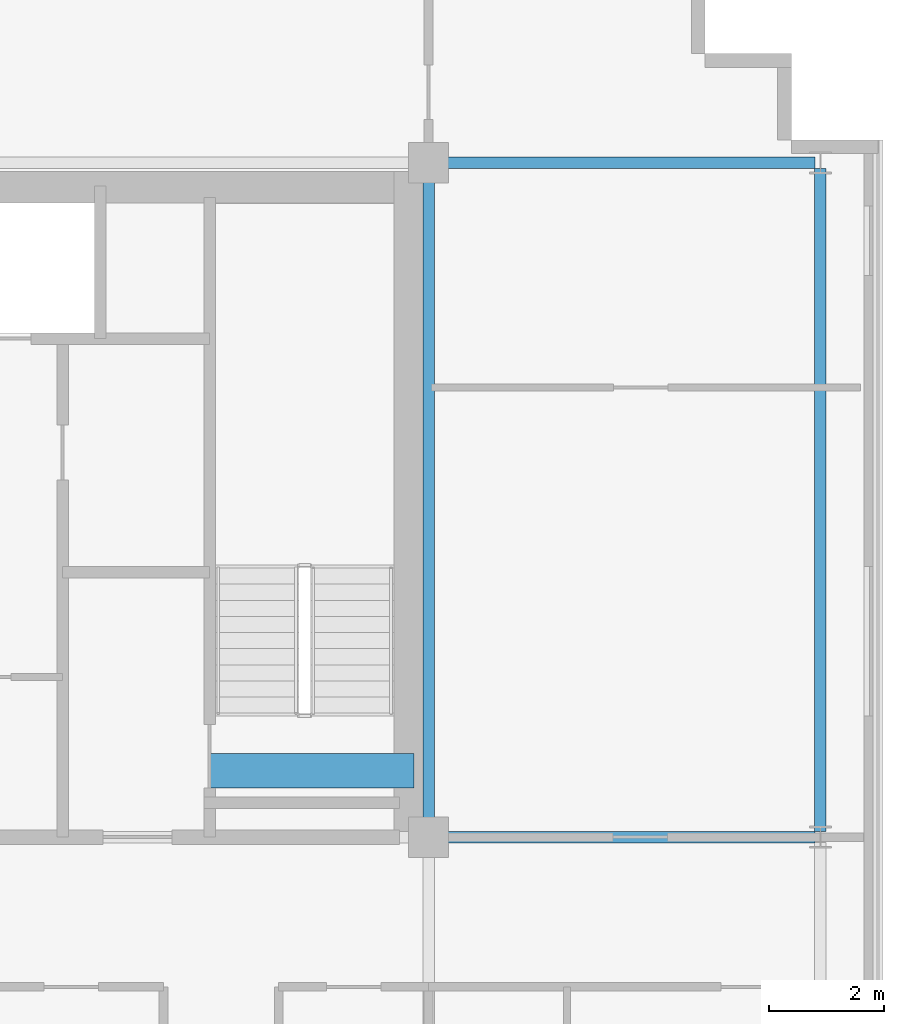
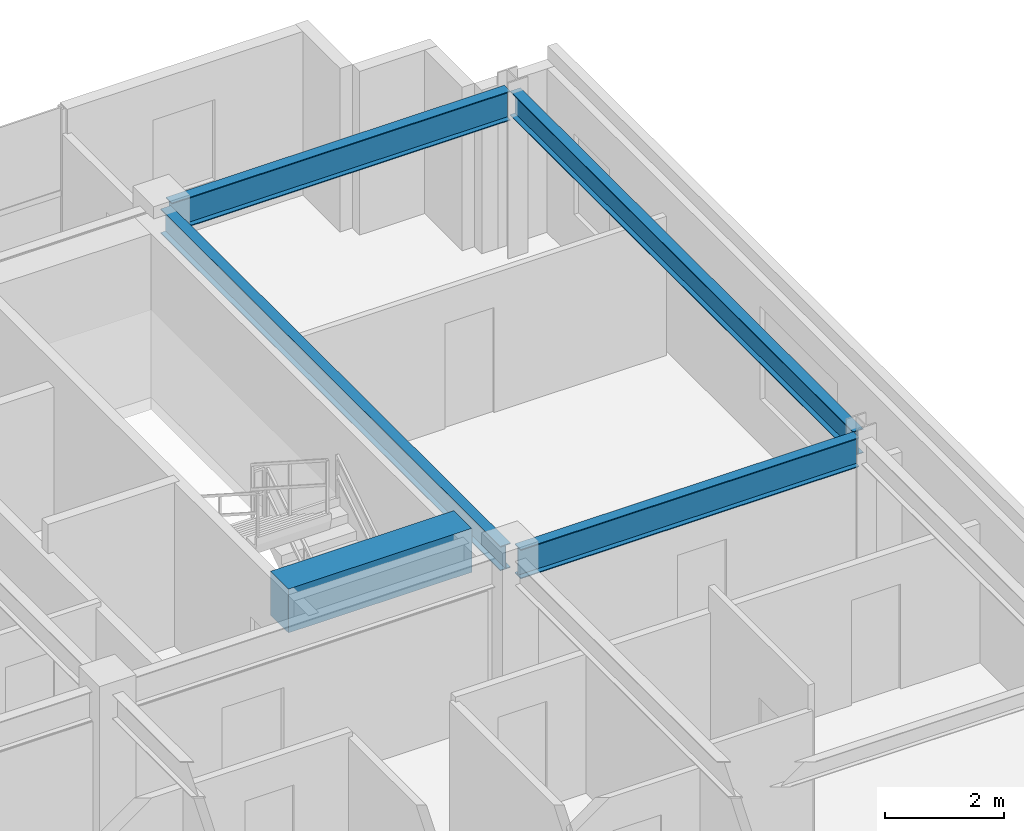
# One storey, part 11 of 20: 5 beams.
"""IFC4 building model written with IfcOpenShell, lengths in metres."""

from ifc_helpers import new_model, si_unit, direction, frame, origin, origin_2d, place, context, subcontext, project, spatial, rectangle, i_section, extrude, source, transform, mapped, material, material_profile, profile_set, type_object, element, save


model = new_model("IFC4")

# Units and contexts
model_context = context("Model", 3, precision=1e-05, world=origin(), true_north=direction((0.0, 1.0)))
body_context = subcontext(model_context, "Body", "Model", "MODEL_VIEW")
ifc_project = project(units=[si_unit("LENGTHUNIT", "METRE"), si_unit("AREAUNIT", "SQUARE_METRE"), si_unit("VOLUMEUNIT", "CUBIC_METRE"), si_unit("PLANEANGLEUNIT", "RADIAN"), si_unit("MASSUNIT", "GRAM", prefix="KILO")], contexts=[model_context])

# Site, building, storey
site_placement = place(None, origin())
site = spatial("IfcSite", under=ifc_project, at=site_placement, CompositionType="ELEMENT")
building_placement = place(site_placement, origin())
building = spatial("IfcBuilding", under=site, at=building_placement, Name="Trelvane Seafront Commons", CompositionType="ELEMENT")
storey_placement = place(building_placement, frame((0.0, 0.0, 168.10009765625)))
storey = spatial("IfcBuildingStorey", under=building, at=storey_placement, Name="L44", CompositionType="ELEMENT", Elevation=168.10009765625)

# Beams
ifc_material_1 = material(Name="Concrete C60/75", Category="concrete")
ifc_material_profile_1 = material_profile(ifc_material_1, rectangle(XDim=0.60009765625, YDim=0.89990234375, at=origin_2d()), Name="RC-600x900")
ifc_profile_set_1 = profile_set([ifc_material_profile_1], Name="Concrete C60/75")
beam_type_1 = type_object("IfcBeamType", Name="STR-LNT-RC600x900", PredefinedType="LINTEL", material=ifc_profile_set_1)
shared_shape_1 = source(origin(), body_context, "Body", "SweptSolid", [
    extrude(rectangle(XDim=0.60009765625, YDim=0.89990234375, at=origin_2d()), origin(), (0.0, 0.0, 1.0), 3.550048828125),
])
beam_1_placement = place(storey_placement, frame((55.0, 34.550048828125, 2.89990234375), z_axis=(1.0, 0.0, 0.0), x_axis=(0.0, 1.0, 0.0)))
element("IfcBeam", 1, at=beam_1_placement, inside=storey, type_object=beam_type_1, Name="L44 Core Coupling Lintel Beam CB-68", PredefinedType="LINTEL", context=body_context, shape_type="MappedRepresentation", body=[
    mapped(shared_shape_1, transform((0.0, 0.0, 0.0), x_axis=(1.0, 0.0, 0.0), y_axis=(0.0, 1.0, 0.0), z_axis=(0.0, 0.0, 1.0), scale=1.0)),
])
ifc_material_2 = material(Name="Steel SM355 (S355)", Category="steel")
ifc_material_profile_2 = material_profile(ifc_material_2, i_section(OverallWidth=0.199951171875, OverallDepth=0.5, WebThickness=0.010009765625, FlangeThickness=0.01611328125, at=origin_2d()), Name="H-500x200x10x16")
ifc_profile_set_2 = profile_set([ifc_material_profile_2], Name="Steel SM355 (S355)")
beam_type_2 = type_object("IfcBeamType", Name="STR-BM-H500", PredefinedType="BEAM", material=ifc_profile_set_2)
shared_shape_2 = source(origin(), body_context, "Body", "SweptSolid", [
    extrude(i_section(OverallWidth=0.199951171875, OverallDepth=0.5, WebThickness=0.010009765625, FlangeThickness=0.01611328125, at=origin_2d()), origin(), (0.0, 0.0, 1.0), 11.39990234375),
])
beam_2_placement = place(storey_placement, frame((58.800048828125, 33.550048828125, 3.099853515625), z_axis=(0.0, 1.0, 0.0), x_axis=(-1.0, 0.0, 0.0)))
element("IfcBeam", 2, at=beam_2_placement, inside=storey, type_object=beam_type_2, Name="L44 Primary Girder G-49", PredefinedType="BEAM", context=body_context, shape_type="MappedRepresentation", body=[
    mapped(shared_shape_2, transform((0.0, 0.0, 0.0), x_axis=(1.0, 0.0, 0.0), y_axis=(0.0, 1.0, 0.0), z_axis=(0.0, 0.0, 1.0), scale=1.0)),
])
ifc_material_profile_3 = material_profile(ifc_material_2, i_section(OverallWidth=0.199951171875, OverallDepth=0.60009765625, WebThickness=0.010986328125, FlangeThickness=0.01708984375, at=origin_2d()), Name="H-600x200x11x17")
ifc_profile_set_3 = profile_set([ifc_material_profile_3], Name="Steel SM355 (S355)")
beam_type_3 = type_object("IfcBeamType", Name="STR-SPD-H600", PredefinedType="SPANDREL", material=ifc_profile_set_3)
shared_shape_3 = source(origin(), body_context, "Body", "SweptSolid", [
    extrude(i_section(OverallWidth=0.199951171875, OverallDepth=0.60009765625, WebThickness=0.010986328125, FlangeThickness=0.01708984375, at=origin_2d()), origin(), (0.0, 0.0, 1.0), 6.554931640625),
])
for number, where, z_axis, x_axis, name in (
    (3, (58.949951171875, 33.39990234375, 3.0498046875), (1.0, 0.0, 0.0), (0.0, 1.0, 0.0), "L44 Primary Girder G-21"),
    (4, (58.949951171875, 45.10009765625, 3.0498046875), (1.0, 0.0, 0.0), (0.0, 1.0, 0.0), "L44 Primary Girder G-28"),
):
    element("IfcBeam", number, at=place(storey_placement, frame(where, z_axis=z_axis, x_axis=x_axis)), inside=storey, type_object=beam_type_3, Name=name, PredefinedType="SPANDREL", context=body_context, shape_type="MappedRepresentation", body=[
        mapped(shared_shape_3, transform((0.0, 0.0, 0.0), x_axis=(1.0, 0.0, 0.0), y_axis=(0.0, 1.0, 0.0), z_axis=(0.0, 0.0, 1.0), scale=1.0)),
    ])
shared_shape_4 = source(origin(), body_context, "Body", "SweptSolid", [
    extrude(i_section(OverallWidth=0.199951171875, OverallDepth=0.5, WebThickness=0.010009765625, FlangeThickness=0.01611328125, at=origin_2d()), origin(), (0.0, 0.0, 1.0), 11.509765625),
])
beam_3_placement = place(storey_placement, frame((65.60009765625, 33.4951171875, 3.099853515625), z_axis=(0.0, 1.0, 0.0), x_axis=(-1.0, 0.0, 0.0)))
element("IfcBeam", 5, at=beam_3_placement, inside=storey, type_object=beam_type_2, Name="L44 Primary Girder G-52", PredefinedType="BEAM", context=body_context, shape_type="MappedRepresentation", body=[
    mapped(shared_shape_4, transform((0.0, 0.0, 0.0), x_axis=(1.0, 0.0, 0.0), y_axis=(0.0, 1.0, 0.0), z_axis=(0.0, 0.0, 1.0), scale=1.0)),
])

save(model, "model.ifc")
